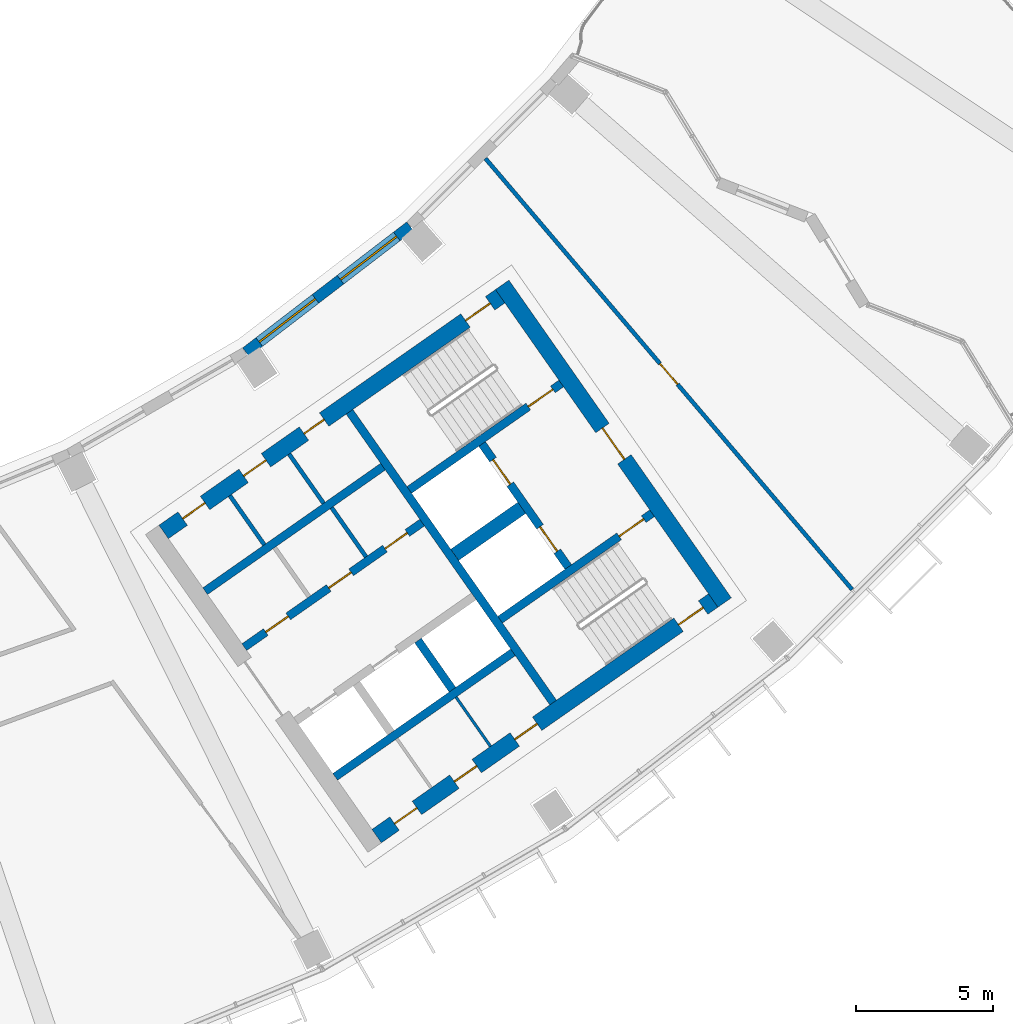
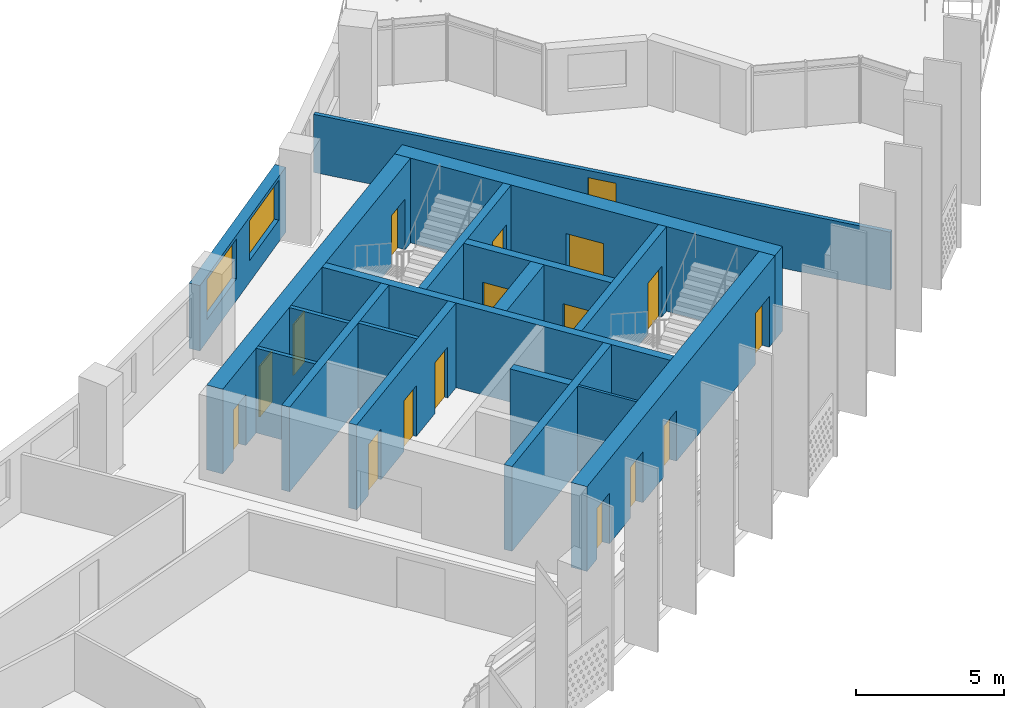
# One storey, part 6 of 30: 18 walls, 17 doors, 2 windows, 19 openings.
"""IFC4 building model written with IfcOpenShell, lengths in metres."""

from ifc_helpers import new_model, si_unit, direction, frame, frame_2d, origin, place, context, subcontext, project, spatial, rectangle, extrude, material, layer, layer_set, type_object, element, fill, save


model = new_model("IFC4")

# Units and contexts
model_context = context("Model", 3, precision=1e-05, world=origin(), true_north=direction((0.0, 1.0)))
body_context = subcontext(model_context, "Body", "Model", "MODEL_VIEW")
ifc_project = project(units=[si_unit("LENGTHUNIT", "METRE"), si_unit("AREAUNIT", "SQUARE_METRE"), si_unit("VOLUMEUNIT", "CUBIC_METRE"), si_unit("PLANEANGLEUNIT", "RADIAN"), si_unit("MASSUNIT", "GRAM", prefix="KILO")], contexts=[model_context])

# Site, building, storey
site_placement = place(None, origin())
site = spatial("IfcSite", under=ifc_project, at=site_placement, CompositionType="ELEMENT")
building_placement = place(site_placement, origin())
building = spatial("IfcBuilding", under=site, at=building_placement, Name="Qamariyya Broadcast Tower", CompositionType="ELEMENT")
storey_placement = place(building_placement, frame((0.0, 0.0, 203.699951171875)))
storey = spatial("IfcBuildingStorey", under=building, at=storey_placement, Name="L48", CompositionType="ELEMENT", Elevation=203.699951171875)

# Wall, opening, door
ifc_material_1 = material(Name="Concrete C60/75", Category="concrete")
ifc_layer_1 = layer(ifc_material_1, 0.60009765625)
ifc_layer_set_1 = layer_set([ifc_layer_1], Name="Core wall 600 mm Concrete C60/75")
wall_type_1 = type_object("IfcWallType", Name="Core wall 600 mm Concrete C60/75", PredefinedType="SHEAR", material=ifc_layer_set_1)
wall_1_placement = place(storey_placement, frame((49.4833984375, -57.031494140625, 0.0), z_axis=(0.0, 0.0, 1.0), x_axis=(-0.573560421458, 0.819163257805, 0.0)))
wall_1 = element("IfcWall", 1, at=wall_1_placement, inside=storey, type_object=wall_type_1, Name="k-E-L48-WH", PredefinedType="SHEAR", context=body_context, shape_type="SweptSolid", body=[
    extrude(rectangle(XDim=14.199951171875, YDim=0.60009765625, at=frame_2d((7.10009765625, 0.0))), origin(), (0.0, 0.0, 1.0), 3.5),
])
opening_1_placement = place(wall_1_placement, frame((6.39990234375, 0.0, 0.0)))
opening_1 = element("IfcOpeningElement", 2, at=opening_1_placement, cuts=wall_1, Name="Opening KD2-E1", PredefinedType="OPENING", context=body_context, shape_type="SweptSolid", body=[
    extrude(rectangle(XDim=1.39990234375, YDim=2.10009765625, at=frame_2d((0.699951171875, 1.050048828125))), frame((0.0, 0.31005859375, 0.0), z_axis=(0.0, -1.0, 0.0), x_axis=(1.0, 0.0, 0.0)), (0.0, 0.0, 1.0), 0.6201171875),
])
ifc_material_2 = material(Name="Steel fire-resisting door leaf", Category="steel")
door_type_1 = type_object("IfcDoorType", Name="Fire-fighting lobby door KD2", OperationType="DOUBLE_DOOR_SINGLE_SWING", PredefinedType="DOOR", material=ifc_material_2)
door_1_placement = place(opening_1_placement, origin())
door_1 = element("IfcDoor", 3, at=door_1_placement, inside=storey, type_object=door_type_1, Name="k-E-L48-WH-D15", OperationType="DOUBLE_DOOR_SINGLE_SWING", OverallHeight=2.10009765625, OverallWidth=1.39990234375, PredefinedType="DOOR", context=body_context, shape_type="SweptSolid", body=[
    extrude(rectangle(XDim=1.39990234375, YDim=2.10009765625, at=frame_2d((0.699951171875, 1.050048828125))), frame((0.0, 0.02490234375, 0.0), z_axis=(0.0, -1.0, 0.0), x_axis=(1.0, 0.0, 0.0)), (0.0, 0.0, 1.0), 0.050048828125),
])
fill(opening_1, door_1)

# Wall, openings, doors
wall_2_placement = place(storey_placement, frame((28.940673828125, -54.447021484375, 0.0), z_axis=(0.0, 0.0, 1.0), x_axis=(0.819153391756, 0.573574511963, 0.0)))
wall_2 = element("IfcWall", 4, at=wall_2_placement, inside=storey, type_object=wall_type_1, Name="k-E-L48-WI", PredefinedType="SHEAR", context=body_context, shape_type="SweptSolid", body=[
    extrude(rectangle(XDim=15.04541015625, YDim=0.60009765625, at=frame_2d((7.522705078125, 0.0))), origin(), (0.0, 0.0, 1.0), 3.5),
])
opening_2_placement = place(wall_2_placement, frame((0.85009765625, 0.0, 0.0)))
opening_2 = element("IfcOpeningElement", 5, at=opening_2_placement, cuts=wall_2, Name="Opening KD6-E3", PredefinedType="OPENING", context=body_context, shape_type="SweptSolid", body=[
    extrude(rectangle(XDim=1.0, YDim=2.10009765625, at=frame_2d((0.5, 1.050048828125))), frame((0.0, 0.31005859375, 0.0), z_axis=(0.0, -1.0, 0.0), x_axis=(1.0, 0.0, 0.0)), (0.0, 0.0, 1.0), 0.6201171875),
])
opening_3_placement = place(wall_2_placement, frame((3.574951171875, 0.0, 0.0)))
opening_3 = element("IfcOpeningElement", 6, at=opening_3_placement, cuts=wall_2, Name="Opening KD7-E1", PredefinedType="OPENING", context=body_context, shape_type="SweptSolid", body=[
    extrude(rectangle(XDim=1.0, YDim=2.10009765625, at=frame_2d((0.5, 1.050048828125))), frame((0.0, 0.31005859375, 0.0), z_axis=(0.0, -1.0, 0.0), x_axis=(1.0, 0.0, 0.0)), (0.0, 0.0, 1.0), 0.6201171875),
])
opening_4_placement = place(wall_2_placement, frame((6.27490234375, 0.0, 0.0)))
opening_4 = element("IfcOpeningElement", 7, at=opening_4_placement, cuts=wall_2, Name="Opening KD5-E1", PredefinedType="OPENING", context=body_context, shape_type="SweptSolid", body=[
    extrude(rectangle(XDim=0.89990234375, YDim=2.10009765625, at=frame_2d((0.449951171875, 1.050048828125))), frame((0.0, 0.31005859375, 0.0), z_axis=(0.0, -1.0, 0.0), x_axis=(1.0, 0.0, 0.0)), (0.0, 0.0, 1.0), 0.6201171875),
])
opening_5_placement = place(wall_2_placement, frame((13.495361328125, 0.0, 0.0)))
opening_5 = element("IfcOpeningElement", 8, at=opening_5_placement, cuts=wall_2, Name="Opening KD1-E1", PredefinedType="OPENING", context=body_context, shape_type="SweptSolid", body=[
    extrude(rectangle(XDim=1.10009765625, YDim=2.10009765625, at=frame_2d((0.550048828125, 1.050048828125))), frame((0.0, 0.31005859375, 0.0), z_axis=(0.0, -1.0, 0.0), x_axis=(1.0, 0.0, 0.0)), (0.0, 0.0, 1.0), 0.6201171875),
])
door_type_2 = type_object("IfcDoorType", Name="Accessible toilet door KD7", OperationType="SINGLE_SWING_LEFT", PredefinedType="DOOR", material=ifc_material_2)
door_2_placement = place(opening_3_placement, origin())
door_2 = element("IfcDoor", 9, at=door_2_placement, inside=storey, type_object=door_type_2, Name="k-E-L48-WI-D8", OperationType="SINGLE_SWING_RIGHT", OverallHeight=2.10009765625, OverallWidth=1.0, PredefinedType="DOOR", context=body_context, shape_type="SweptSolid", body=[
    extrude(rectangle(XDim=1.0, YDim=2.10009765625, at=frame_2d((0.5, 1.050048828125))), frame((0.0, 0.02490234375, 0.0), z_axis=(0.0, -1.0, 0.0), x_axis=(1.0, 0.0, 0.0)), (0.0, 0.0, 1.0), 0.050048828125),
])
fill(opening_3, door_2)
door_type_3 = type_object("IfcDoorType", Name="Core room door KD6", OperationType="SINGLE_SWING_LEFT", PredefinedType="DOOR", material=ifc_material_2)
door_3_placement = place(opening_2_placement, origin())
door_3 = element("IfcDoor", 10, at=door_3_placement, inside=storey, type_object=door_type_3, Name="k-E-L48-WI-D7", OperationType="SINGLE_SWING_LEFT", OverallHeight=2.10009765625, OverallWidth=1.0, PredefinedType="DOOR", context=body_context, shape_type="SweptSolid", body=[
    extrude(rectangle(XDim=1.0, YDim=2.10009765625, at=frame_2d((0.5, 1.050048828125))), frame((0.0, 0.02490234375, 0.0), z_axis=(0.0, -1.0, 0.0), x_axis=(1.0, 0.0, 0.0)), (0.0, 0.0, 1.0), 0.050048828125),
])
fill(opening_2, door_3)
door_type_4 = type_object("IfcDoorType", Name="Stair door KD1", OperationType="SINGLE_SWING_LEFT", PredefinedType="DOOR", material=ifc_material_2)
door_4_placement = place(opening_5_placement, origin())
door_4 = element("IfcDoor", 11, at=door_4_placement, inside=storey, type_object=door_type_4, Name="k-E-L48-WI-D16", OperationType="SINGLE_SWING_RIGHT", OverallHeight=2.10009765625, OverallWidth=1.10009765625, PredefinedType="DOOR", context=body_context, shape_type="SweptSolid", body=[
    extrude(rectangle(XDim=1.10009765625, YDim=2.10009765625, at=frame_2d((0.550048828125, 1.050048828125))), frame((0.0, 0.02490234375, 0.0), z_axis=(0.0, -1.0, 0.0), x_axis=(1.0, 0.0, 0.0)), (0.0, 0.0, 1.0), 0.050048828125),
])
fill(opening_5, door_4)
door_type_5 = type_object("IfcDoorType", Name="Toilet door KD5", OperationType="SINGLE_SWING_LEFT", PredefinedType="DOOR", material=ifc_material_2)
door_5_placement = place(opening_4_placement, origin())
door_5 = element("IfcDoor", 12, at=door_5_placement, inside=storey, type_object=door_type_5, Name="k-E-L48-WI-D9", OperationType="SINGLE_SWING_LEFT", OverallHeight=2.10009765625, OverallWidth=0.89990234375, PredefinedType="DOOR", context=body_context, shape_type="SweptSolid", body=[
    extrude(rectangle(XDim=0.89990234375, YDim=2.10009765625, at=frame_2d((0.449951171875, 1.050048828125))), frame((0.0, 0.02490234375, 0.0), z_axis=(0.0, -1.0, 0.0), x_axis=(1.0, 0.0, 0.0)), (0.0, 0.0, 1.0), 0.050048828125),
])
fill(opening_4, door_5)

wall_3_placement = place(storey_placement, frame((36.7412109375, -65.58740234375, 0.0), z_axis=(0.0, 0.0, 1.0), x_axis=(0.819153391756, 0.573574511963, 0.0)))
wall_3 = element("IfcWall", 13, at=wall_3_placement, inside=storey, type_object=wall_type_1, Name="k-E-L48-WO", PredefinedType="SHEAR", context=body_context, shape_type="SweptSolid", body=[
    extrude(rectangle(XDim=15.04541015625, YDim=0.60009765625, at=frame_2d((7.522705078125, 0.0))), origin(), (0.0, 0.0, 1.0), 3.5),
])
opening_6_placement = place(wall_3_placement, frame((0.800048828125, 0.0, 0.0)))
opening_6 = element("IfcOpeningElement", 14, at=opening_6_placement, cuts=wall_3, Name="Opening KD4-E2", PredefinedType="OPENING", context=body_context, shape_type="SweptSolid", body=[
    extrude(rectangle(XDim=1.0, YDim=2.10009765625, at=frame_2d((0.5, 1.050048828125))), frame((0.0, 0.31005859375, 0.0), z_axis=(0.0, -1.0, 0.0), x_axis=(1.0, 0.0, 0.0)), (0.0, 0.0, 1.0), 0.6201171875),
])
opening_7_placement = place(wall_3_placement, frame((3.47509765625, 0.0, 0.0)))
opening_7 = element("IfcOpeningElement", 15, at=opening_7_placement, cuts=wall_3, Name="Opening KD4-E3", PredefinedType="OPENING", context=body_context, shape_type="SweptSolid", body=[
    extrude(rectangle(XDim=1.0, YDim=2.10009765625, at=frame_2d((0.5, 1.050048828125))), frame((0.0, 0.31005859375, 0.0), z_axis=(0.0, -1.0, 0.0), x_axis=(1.0, 0.0, 0.0)), (0.0, 0.0, 1.0), 0.6201171875),
])
opening_8_placement = place(wall_3_placement, frame((6.175048828125, 0.0, 0.0)))
opening_8 = element("IfcOpeningElement", 16, at=opening_8_placement, cuts=wall_3, Name="Opening KD4-E4", PredefinedType="OPENING", context=body_context, shape_type="SweptSolid", body=[
    extrude(rectangle(XDim=1.0, YDim=2.10009765625, at=frame_2d((0.5, 1.050048828125))), frame((0.0, 0.31005859375, 0.0), z_axis=(0.0, -1.0, 0.0), x_axis=(1.0, 0.0, 0.0)), (0.0, 0.0, 1.0), 0.6201171875),
])
opening_9_placement = place(wall_3_placement, frame((13.495361328125, 0.0, 0.0)))
opening_9 = element("IfcOpeningElement", 17, at=opening_9_placement, cuts=wall_3, Name="Opening KD1-E3", PredefinedType="OPENING", context=body_context, shape_type="SweptSolid", body=[
    extrude(rectangle(XDim=1.10009765625, YDim=2.10009765625, at=frame_2d((0.550048828125, 1.050048828125))), frame((0.0, 0.31005859375, 0.0), z_axis=(0.0, -1.0, 0.0), x_axis=(1.0, 0.0, 0.0)), (0.0, 0.0, 1.0), 0.6201171875),
])
door_type_6 = type_object("IfcDoorType", Name="Riser and plant door KD4", OperationType="SINGLE_SWING_LEFT", PredefinedType="DOOR", material=ifc_material_2)
door_6_placement = place(opening_6_placement, origin())
door_6 = element("IfcDoor", 18, at=door_6_placement, inside=storey, type_object=door_type_6, Name="k-E-L48-WO-D10", OperationType="SINGLE_SWING_RIGHT", OverallHeight=2.10009765625, OverallWidth=1.0, PredefinedType="DOOR", context=body_context, shape_type="SweptSolid", body=[
    extrude(rectangle(XDim=1.0, YDim=2.10009765625, at=frame_2d((0.5, 1.050048828125))), frame((0.0, 0.02490234375, 0.0), z_axis=(0.0, -1.0, 0.0), x_axis=(1.0, 0.0, 0.0)), (0.0, 0.0, 1.0), 0.050048828125),
])
fill(opening_6, door_6)
door_7_placement = place(opening_7_placement, origin())
door_7 = element("IfcDoor", 19, at=door_7_placement, inside=storey, type_object=door_type_6, Name="k-E-L48-WO-D11", OperationType="SINGLE_SWING_LEFT", OverallHeight=2.10009765625, OverallWidth=1.0, PredefinedType="DOOR", context=body_context, shape_type="SweptSolid", body=[
    extrude(rectangle(XDim=1.0, YDim=2.10009765625, at=frame_2d((0.5, 1.050048828125))), frame((0.0, 0.02490234375, 0.0), z_axis=(0.0, -1.0, 0.0), x_axis=(1.0, 0.0, 0.0)), (0.0, 0.0, 1.0), 0.050048828125),
])
fill(opening_7, door_7)
door_8_placement = place(opening_8_placement, origin())
door_8 = element("IfcDoor", 20, at=door_8_placement, inside=storey, type_object=door_type_6, Name="k-E-L48-WO-D12", OperationType="SINGLE_SWING_RIGHT", OverallHeight=2.10009765625, OverallWidth=1.0, PredefinedType="DOOR", context=body_context, shape_type="SweptSolid", body=[
    extrude(rectangle(XDim=1.0, YDim=2.10009765625, at=frame_2d((0.5, 1.050048828125))), frame((0.0, 0.02490234375, 0.0), z_axis=(0.0, -1.0, 0.0), x_axis=(1.0, 0.0, 0.0)), (0.0, 0.0, 1.0), 0.050048828125),
])
fill(opening_8, door_8)
door_9_placement = place(opening_9_placement, origin())
door_9 = element("IfcDoor", 21, at=door_9_placement, inside=storey, type_object=door_type_4, Name="k-E-L48-WO-D18", OperationType="SINGLE_SWING_LEFT", OverallHeight=2.10009765625, OverallWidth=1.10009765625, PredefinedType="DOOR", context=body_context, shape_type="SweptSolid", body=[
    extrude(rectangle(XDim=1.10009765625, YDim=2.10009765625, at=frame_2d((0.550048828125, 1.050048828125))), frame((0.0, 0.02490234375, 0.0), z_axis=(0.0, -1.0, 0.0), x_axis=(1.0, 0.0, 0.0)), (0.0, 0.0, 1.0), 0.050048828125),
])
fill(opening_9, door_9)

# Wall, opening, door
ifc_material_3 = material(Name="Gypsum board partition")
ifc_layer_2 = layer(ifc_material_3, 0.14990234375)
ifc_layer_set_2 = layer_set([ifc_layer_2], Name="Corridor partition 150 EI 60")
wall_type_2 = type_object("IfcWallType", Name="Corridor partition 150 EI 60", PredefinedType="PARTITIONING", material=ifc_layer_set_2)
wall_4_placement = place(storey_placement, frame((40.724853515625, -40.7705078125, 0.0), z_axis=(0.0, 0.0, 1.0), x_axis=(0.647962636986, -0.761672121762, 0.0)))
wall_4 = element("IfcWall", 22, at=wall_4_placement, inside=storey, type_object=wall_type_2, Name="Partition L48-032", PredefinedType="PARTITIONING", context=body_context, shape_type="SweptSolid", body=[
    extrude(rectangle(XDim=20.723388671875, YDim=0.14990234375, at=frame_2d((10.36181640625, 0.0))), origin(), (0.0, 0.0, 1.0), 2.400146484375),
])
opening_10_placement = place(wall_4_placement, frame((9.86181640625, 0.0, 0.0)))
opening_10 = element("IfcOpeningElement", 23, at=opening_10_placement, cuts=wall_4, Name="Opening L48-D16", PredefinedType="OPENING", context=body_context, shape_type="SweptSolid", body=[
    extrude(rectangle(XDim=1.0, YDim=2.10009765625, at=frame_2d((0.5, 1.050048828125))), frame((0.0, 0.0849609375, 0.0), z_axis=(0.0, -1.0, 0.0), x_axis=(1.0, 0.0, 0.0)), (0.0, 0.0, 1.0), 0.169921875),
])
ifc_material_4 = material(Name="Timber fire door leaf", Category="wood")
door_type_7 = type_object("IfcDoorType", Name="Fire door 1000 x 2100 FD60", OperationType="NOTDEFINED", PredefinedType="DOOR", material=ifc_material_4)
door_10_placement = place(opening_10_placement, origin())
door_10 = element("IfcDoor", 24, at=door_10_placement, inside=storey, type_object=door_type_7, Name="Door L48-D16", OperationType="SINGLE_SWING_RIGHT", OverallHeight=2.10009765625, OverallWidth=1.0, PredefinedType="DOOR", context=body_context, shape_type="SweptSolid", body=[
    extrude(rectangle(XDim=1.0, YDim=2.10009765625, at=frame_2d((0.5, 1.050048828125))), frame((0.0, 0.02490234375, 0.0), z_axis=(0.0, -1.0, 0.0), x_axis=(1.0, 0.0, 0.0)), (0.0, 0.0, 1.0), 0.050048828125),
])
fill(opening_10, door_10)

# Walls
ifc_layer_3 = layer(ifc_material_1, 0.5)
ifc_layer_set_3 = layer_set([ifc_layer_3], Name="Fire-fighting lobby divider wall 500 mm Concrete C60/75")
wall_type_3 = type_object("IfcWallType", Name="Fire-fighting lobby divider wall 500 mm Concrete C60/75", PredefinedType="SOLIDWALL", material=ifc_layer_set_3)
wall_5_placement = place(storey_placement, frame((39.59912109375, -55.28515625, 0.0), z_axis=(0.0, 0.0, 1.0), x_axis=(0.819136323161, 0.573598887793, 0.0)))
element("IfcWall", 25, at=wall_5_placement, inside=storey, type_object=wall_type_3, Name="k-E-L48-FD", PredefinedType="SOLIDWALL", context=body_context, shape_type="SweptSolid", body=[
    extrude(rectangle(XDim=2.999755859375, YDim=0.5, at=frame_2d((1.5, 0.0))), origin(), (0.0, 0.0, 1.0), 3.5),
])
ifc_material_5 = material(Name="Gypsum board partition on steel studs", Category="steel")
ifc_layer_4 = layer(ifc_material_5, 0.14990234375)
ifc_layer_set_4 = layer_set([ifc_layer_4], Name="Gypsum board partition 150 mm")
wall_type_4 = type_object("IfcWallType", Name="Gypsum board partition 150 mm", PredefinedType="PARTITIONING", material=ifc_layer_set_4)
wall_6_placement = place(storey_placement, frame((36.35498046875, -55.359375, 0.0), z_axis=(0.0, 0.0, 1.0), x_axis=(-0.573581496053, 0.819148501424, 0.0)))
element("IfcWall", 26, at=wall_6_placement, inside=storey, type_object=wall_type_4, Name="k-E-L48-NC555", PredefinedType="PARTITIONING", context=body_context, shape_type="SweptSolid", body=[
    extrude(rectangle(XDim=2.2001953125, YDim=0.14990234375, at=frame_2d((1.10009765625, 0.0))), origin(), (0.0, 0.0, 1.0), 3.5),
])
for number, where, z_axis, x_axis, name in (
    (27, (32.627197265625, -54.91748046875, 0.0), (0.0, 0.0, 1.0), (-0.573507030513, 0.819200638399, 0.0), "k-E-L48-NP275"),
    (28, (34.798095703125, -53.3974609375, 0.0), (0.0, 0.0, 1.0), (-0.573633636671, 0.819111989218, 0.0), "k-E-L48-NP540"),
):
    element("IfcWall", number, at=place(storey_placement, frame(where, z_axis=z_axis, x_axis=x_axis)), inside=storey, type_object=wall_type_4, Name=name, PredefinedType="PARTITIONING", context=body_context, shape_type="SweptSolid", body=[
        extrude(rectangle(XDim=2.199951171875, YDim=0.14990234375, at=frame_2d((1.10009765625, 0.0))), origin(), (0.0, 0.0, 1.0), 3.5),
    ])
ifc_layer_5 = layer(ifc_material_1, 0.300048828125)
ifc_layer_set_5 = layer_set([ifc_layer_5], Name="Lift shaft wall 300 mm Concrete C60/75")
wall_type_5 = type_object("IfcWallType", Name="Lift shaft wall 300 mm Concrete C60/75", PredefinedType="SOLIDWALL", material=ifc_layer_set_5)
wall_7_placement = place(storey_placement, frame((43.204345703125, -60.69580078125, 0.0), z_axis=(0.0, 0.0, 1.0), x_axis=(-0.573571992966, 0.819155155563, 0.0)))
element("IfcWall", 29, at=wall_7_placement, inside=storey, type_object=wall_type_5, Name="k-E-L48-WL", PredefinedType="SOLIDWALL", context=body_context, shape_type="SweptSolid", body=[
    extrude(rectangle(XDim=13.000244140625, YDim=0.300048828125, at=frame_2d((6.5, 0.0))), origin(), (0.0, 0.0, 1.0), 3.5),
])

# Wall, openings, doors
wall_8_placement = place(storey_placement, frame((31.89453125, -58.66552734375, 0.0), z_axis=(0.0, 0.0, 1.0), x_axis=(0.819166993208, 0.573555086491, 0.0)))
wall_8 = element("IfcWall", 30, at=wall_8_placement, inside=storey, type_object=wall_type_5, Name="k-E-L48-NF0", PredefinedType="SOLIDWALL", context=body_context, shape_type="SweptSolid", body=[
    extrude(rectangle(XDim=7.9501953125, YDim=0.300048828125, at=frame_2d((3.97509765625, 0.0))), origin(), (0.0, 0.0, 1.0), 3.5),
])
opening_11_placement = place(wall_8_placement, frame((0.96240234375, 0.0, 0.0)))
opening_11 = element("IfcOpeningElement", 31, at=opening_11_placement, cuts=wall_8, Name="Opening KD4-E1", PredefinedType="OPENING", context=body_context, shape_type="SweptSolid", body=[
    extrude(rectangle(XDim=1.0, YDim=2.10009765625, at=frame_2d((0.5, 1.050048828125))), frame((0.0, 0.159912109375, 0.0), z_axis=(0.0, -1.0, 0.0), x_axis=(1.0, 0.0, 0.0)), (0.0, 0.0, 1.0), 0.320068359375),
])
opening_12_placement = place(wall_8_placement, frame((3.77490234375, 0.0, 0.0)))
opening_12 = element("IfcOpeningElement", 32, at=opening_12_placement, cuts=wall_8, Name="Opening KD6-E1", PredefinedType="OPENING", context=body_context, shape_type="SweptSolid", body=[
    extrude(rectangle(XDim=1.0, YDim=2.10009765625, at=frame_2d((0.5, 1.050048828125))), frame((0.0, 0.159912109375, 0.0), z_axis=(0.0, -1.0, 0.0), x_axis=(1.0, 0.0, 0.0)), (0.0, 0.0, 1.0), 0.320068359375),
])
opening_13_placement = place(wall_8_placement, frame((6.28759765625, 0.0, 0.0)))
opening_13 = element("IfcOpeningElement", 33, at=opening_13_placement, cuts=wall_8, Name="Opening KD6-E2", PredefinedType="OPENING", context=body_context, shape_type="SweptSolid", body=[
    extrude(rectangle(XDim=1.0, YDim=2.10009765625, at=frame_2d((0.5, 1.050048828125))), frame((0.0, 0.159912109375, 0.0), z_axis=(0.0, -1.0, 0.0), x_axis=(1.0, 0.0, 0.0)), (0.0, 0.0, 1.0), 0.320068359375),
])
door_11_placement = place(opening_12_placement, origin())
door_11 = element("IfcDoor", 34, at=door_11_placement, inside=storey, type_object=door_type_3, Name="k-E-L48-NF0-D3", OperationType="SINGLE_SWING_LEFT", OverallHeight=2.10009765625, OverallWidth=1.0, PredefinedType="DOOR", context=body_context, shape_type="SweptSolid", body=[
    extrude(rectangle(XDim=1.0, YDim=2.10009765625, at=frame_2d((0.5, 1.050048828125))), frame((0.0, 0.02490234375, 0.0), z_axis=(0.0, -1.0, 0.0), x_axis=(1.0, 0.0, 0.0)), (0.0, 0.0, 1.0), 0.050048828125),
])
fill(opening_12, door_11)
door_12_placement = place(opening_13_placement, origin())
door_12 = element("IfcDoor", 35, at=door_12_placement, inside=storey, type_object=door_type_3, Name="k-E-L48-NF0-D4", OperationType="SINGLE_SWING_RIGHT", OverallHeight=2.10009765625, OverallWidth=1.0, PredefinedType="DOOR", context=body_context, shape_type="SweptSolid", body=[
    extrude(rectangle(XDim=1.0, YDim=2.10009765625, at=frame_2d((0.5, 1.050048828125))), frame((0.0, 0.02490234375, 0.0), z_axis=(0.0, -1.0, 0.0), x_axis=(1.0, 0.0, 0.0)), (0.0, 0.0, 1.0), 0.050048828125),
])
fill(opening_13, door_12)
door_13_placement = place(opening_11_placement, origin())
door_13 = element("IfcDoor", 36, at=door_13_placement, inside=storey, type_object=door_type_6, Name="k-E-L48-NF0-D2", OperationType="SINGLE_SWING_RIGHT", OverallHeight=2.10009765625, OverallWidth=1.0, PredefinedType="DOOR", context=body_context, shape_type="SweptSolid", body=[
    extrude(rectangle(XDim=1.0, YDim=2.10009765625, at=frame_2d((0.5, 1.050048828125))), frame((0.0, 0.02490234375, 0.0), z_axis=(0.0, -1.0, 0.0), x_axis=(1.0, 0.0, 0.0)), (0.0, 0.0, 1.0), 0.050048828125),
])
fill(opening_11, door_13)

# Walls
wall_9_placement = place(storey_placement, frame((30.460693359375, -56.61767578125, 0.0), z_axis=(0.0, 0.0, 1.0), x_axis=(0.819142461705, 0.573590121456, 0.0)))
element("IfcWall", 37, at=wall_9_placement, inside=storey, type_object=wall_type_5, Name="k-E-L48-NB0", PredefinedType="SOLIDWALL", context=body_context, shape_type="SweptSolid", body=[
    extrude(rectangle(XDim=7.949951171875, YDim=0.300048828125, at=frame_2d((3.97509765625, 0.0))), origin(), (0.0, 0.0, 1.0), 3.5),
])
wall_10_placement = place(storey_placement, frame((35.22119140625, -63.41650390625, 0.0), z_axis=(0.0, 0.0, 1.0), x_axis=(0.819166993208, 0.573555086491, 0.0)))
element("IfcWall", 38, at=wall_10_placement, inside=storey, type_object=wall_type_5, Name="k-E-L48-SB0", PredefinedType="SOLIDWALL", context=body_context, shape_type="SweptSolid", body=[
    extrude(rectangle(XDim=7.9501953125, YDim=0.300048828125, at=frame_2d((3.97509765625, 0.0))), origin(), (0.0, 0.0, 1.0), 3.5),
])
wall_11_placement = place(storey_placement, frame((38.255859375, -58.423095703125, 0.0), z_axis=(0.0, 0.0, 1.0), x_axis=(0.573633636671, -0.819111989218, 0.0)))
element("IfcWall", 39, at=wall_11_placement, inside=storey, type_object=wall_type_5, Name="k-E-L48-SD1", PredefinedType="SOLIDWALL", context=body_context, shape_type="SweptSolid", body=[
    extrude(rectangle(XDim=2.199951171875, YDim=0.300048828125, at=frame_2d((1.10009765625, 0.0))), origin(), (0.0, 0.0, 1.0), 3.5),
])

# Wall, opening, door
wall_12_placement = place(storey_placement, frame((37.935546875, -52.90966796875, 0.0), z_axis=(0.0, 0.0, 1.0), x_axis=(0.819147518138, 0.57358290031, 0.0)))
wall_12 = element("IfcWall", 40, at=wall_12_placement, inside=storey, type_object=wall_type_5, Name="k-E-L48-NW", PredefinedType="SOLIDWALL", context=body_context, shape_type="SweptSolid", body=[
    extrude(rectangle(XDim=6.79541015625, YDim=0.300048828125, at=frame_2d((3.397705078125, 0.0))), origin(), (0.0, 0.0, 1.0), 3.5),
])
opening_14_placement = place(wall_12_placement, frame((5.3203125, 0.0, 0.0)))
opening_14 = element("IfcOpeningElement", 41, at=opening_14_placement, cuts=wall_12, Name="Opening KD1-E2", PredefinedType="OPENING", context=body_context, shape_type="SweptSolid", body=[
    extrude(rectangle(XDim=1.10009765625, YDim=2.10009765625, at=frame_2d((0.550048828125, 1.050048828125))), frame((0.0, 0.159912109375, 0.0), z_axis=(0.0, -1.0, 0.0), x_axis=(1.0, 0.0, 0.0)), (0.0, 0.0, 1.0), 0.320068359375),
])
door_14_placement = place(opening_14_placement, origin())
door_14 = element("IfcDoor", 42, at=door_14_placement, inside=storey, type_object=door_type_4, Name="k-E-L48-NW-D17", OperationType="SINGLE_SWING_LEFT", OverallHeight=2.10009765625, OverallWidth=1.10009765625, PredefinedType="DOOR", context=body_context, shape_type="SweptSolid", body=[
    extrude(rectangle(XDim=1.10009765625, YDim=2.10009765625, at=frame_2d((0.550048828125, 1.050048828125))), frame((0.0, 0.02490234375, 0.0), z_axis=(0.0, -1.0, 0.0), x_axis=(1.0, 0.0, 0.0)), (0.0, 0.0, 1.0), 0.050048828125),
])
fill(opening_14, door_14)

wall_13_placement = place(storey_placement, frame((41.262451171875, -57.66064453125, 0.0), z_axis=(0.0, 0.0, 1.0), x_axis=(0.819164398642, 0.573558792102, 0.0)))
wall_13 = element("IfcWall", 43, at=wall_13_placement, inside=storey, type_object=wall_type_5, Name="k-E-L48-SW", PredefinedType="SOLIDWALL", context=body_context, shape_type="SweptSolid", body=[
    extrude(rectangle(XDim=6.795166015625, YDim=0.300048828125, at=frame_2d((3.3974609375, 0.0))), origin(), (0.0, 0.0, 1.0), 3.5),
])
opening_15_placement = place(wall_13_placement, frame((5.3203125, 0.0, 0.0)))
opening_15 = element("IfcOpeningElement", 44, at=opening_15_placement, cuts=wall_13, Name="Opening KD1-E4", PredefinedType="OPENING", context=body_context, shape_type="SweptSolid", body=[
    extrude(rectangle(XDim=1.10009765625, YDim=2.10009765625, at=frame_2d((0.550048828125, 1.050048828125))), frame((0.0, 0.159912109375, 0.0), z_axis=(0.0, -1.0, 0.0), x_axis=(1.0, 0.0, 0.0)), (0.0, 0.0, 1.0), 0.320068359375),
])
door_15_placement = place(opening_15_placement, origin())
door_15 = element("IfcDoor", 45, at=door_15_placement, inside=storey, type_object=door_type_4, Name="k-E-L48-SW-D19", OperationType="SINGLE_SWING_LEFT", OverallHeight=2.10009765625, OverallWidth=1.10009765625, PredefinedType="DOOR", context=body_context, shape_type="SweptSolid", body=[
    extrude(rectangle(XDim=1.10009765625, YDim=2.10009765625, at=frame_2d((0.550048828125, 1.050048828125))), frame((0.0, 0.02490234375, 0.0), z_axis=(0.0, -1.0, 0.0), x_axis=(1.0, 0.0, 0.0)), (0.0, 0.0, 1.0), 0.050048828125),
])
fill(opening_15, door_15)

# Wall, openings, doors
wall_14_placement = place(storey_placement, frame((43.756591796875, -55.731201171875, 0.0), z_axis=(0.0, 0.0, 1.0), x_axis=(-0.573536818435, 0.819179783625, 0.0)))
wall_14 = element("IfcWall", 46, at=wall_14_placement, inside=storey, type_object=wall_type_5, Name="k-E-L48-FF", PredefinedType="SOLIDWALL", context=body_context, shape_type="SweptSolid", body=[
    extrude(rectangle(XDim=5.500244140625, YDim=0.300048828125, at=frame_2d((2.75, 0.0))), origin(), (0.0, 0.0, 1.0), 3.5),
])
opening_16_placement = place(wall_14_placement, frame((0.699951171875, 0.0, 0.0)))
opening_16 = element("IfcOpeningElement", 47, at=opening_16_placement, cuts=wall_14, Name="Opening LD", PredefinedType="OPENING", context=body_context, shape_type="SweptSolid", body=[
    extrude(rectangle(XDim=1.10009765625, YDim=2.10009765625, at=frame_2d((0.550048828125, 1.050048828125))), frame((0.0, 0.159912109375, 0.0), z_axis=(0.0, -1.0, 0.0), x_axis=(1.0, 0.0, 0.0)), (0.0, 0.0, 1.0), 0.320068359375),
])
opening_17_placement = place(wall_14_placement, frame((3.699951171875, 0.0, 0.0)))
opening_17 = element("IfcOpeningElement", 48, at=opening_17_placement, cuts=wall_14, Name="Opening LD", PredefinedType="OPENING", context=body_context, shape_type="SweptSolid", body=[
    extrude(rectangle(XDim=1.10009765625, YDim=2.10009765625, at=frame_2d((0.550048828125, 1.050048828125))), frame((0.0, 0.159912109375, 0.0), z_axis=(0.0, -1.0, 0.0), x_axis=(1.0, 0.0, 0.0)), (0.0, 0.0, 1.0), 0.320068359375),
])
door_type_8 = type_object("IfcDoorType", Name="Lift landing door LD", OperationType="DOUBLE_DOOR_SLIDING", PredefinedType="DOOR", material=ifc_material_2)
door_16_placement = place(opening_16_placement, origin())
door_16 = element("IfcDoor", 49, at=door_16_placement, inside=storey, type_object=door_type_8, Name="k-E-L48-FF-D13", OperationType="DOUBLE_DOOR_SLIDING", OverallHeight=2.10009765625, OverallWidth=1.10009765625, PredefinedType="DOOR", context=body_context, shape_type="SweptSolid", body=[
    extrude(rectangle(XDim=1.10009765625, YDim=2.10009765625, at=frame_2d((0.550048828125, 1.050048828125))), frame((0.0, 0.02490234375, 0.0), z_axis=(0.0, -1.0, 0.0), x_axis=(1.0, 0.0, 0.0)), (0.0, 0.0, 1.0), 0.050048828125),
])
fill(opening_16, door_16)
door_17_placement = place(opening_17_placement, origin())
door_17 = element("IfcDoor", 50, at=door_17_placement, inside=storey, type_object=door_type_8, Name="k-E-L48-FF-D14", OperationType="DOUBLE_DOOR_SLIDING", OverallHeight=2.10009765625, OverallWidth=1.10009765625, PredefinedType="DOOR", context=body_context, shape_type="SweptSolid", body=[
    extrude(rectangle(XDim=1.10009765625, YDim=2.10009765625, at=frame_2d((0.550048828125, 1.050048828125))), frame((0.0, 0.02490234375, 0.0), z_axis=(0.0, -1.0, 0.0), x_axis=(1.0, 0.0, 0.0)), (0.0, 0.0, 1.0), 0.050048828125),
])
fill(opening_17, door_17)

# Wall
ifc_material_6 = material(Name="Fire-rated gypsum shaft liner on steel studs", Category="steel")
ifc_layer_6 = layer(ifc_material_6, 0.10009765625)
ifc_layer_set_6 = layer_set([ifc_layer_6], Name="Riser wall 100 mm")
wall_type_6 = type_object("IfcWallType", Name="Riser wall 100 mm", PredefinedType="PLUMBINGWALL", material=ifc_layer_set_6)
wall_15_placement = place(storey_placement, frame((39.64892578125, -60.49951171875, 0.0), z_axis=(0.0, 0.0, 1.0), x_axis=(0.573507030513, -0.819200638399, 0.0)))
element("IfcWall", 51, at=wall_15_placement, inside=storey, type_object=wall_type_6, Name="k-E-L48-SP530", PredefinedType="PLUMBINGWALL", context=body_context, shape_type="SweptSolid", body=[
    extrude(rectangle(XDim=2.199951171875, YDim=0.10009765625, at=frame_2d((1.10009765625, 0.0))), origin(), (0.0, 0.0, 1.0), 3.5),
])

# Wall, openings, windows
ifc_material_7 = material(Name="Terracotta", Category="masonry")
ifc_layer_7 = layer(ifc_material_7, 0.39990234375)
ifc_layer_set_7 = layer_set([ifc_layer_7], Name="Terracotta clad wall 400")
wall_type_7 = type_object("IfcWallType", Name="Terracotta clad wall 400", PredefinedType="SOLIDWALL", material=ifc_layer_set_7)
wall_16_placement = place(storey_placement, frame((37.965576171875, -43.25341796875, 0.0), z_axis=(0.0, 0.0, 1.0), x_axis=(-0.793356365089, -0.608757486995, 0.0)))
wall_16 = element("IfcWall", 52, at=wall_16_placement, inside=storey, type_object=wall_type_7, Name="e-wl-L48-in130", PredefinedType="SOLIDWALL", context=body_context, shape_type="SweptSolid", body=[
    extrude(rectangle(XDim=7.578125, YDim=0.39990234375, at=frame_2d((3.7890625, 0.0))), origin(), (0.0, 0.0, 1.0), 2.699951171875),
])
opening_18_placement = place(wall_16_placement, frame((4.364501953125, 0.0, 0.89990234375)))
opening_18 = element("IfcOpeningElement", 53, at=opening_18_placement, cuts=wall_16, Name="Opening W1", PredefinedType="OPENING", context=body_context, shape_type="SweptSolid", body=[
    extrude(rectangle(XDim=2.60009765625, YDim=1.64990234375, at=frame_2d((1.300048828125, 0.824951171875))), frame((0.0, 0.2099609375, 0.0), z_axis=(0.0, -1.0, 0.0), x_axis=(1.0, 0.0, 0.0)), (0.0, 0.0, 1.0), 0.419921875),
])
opening_19_placement = place(wall_16_placement, frame((0.613525390625, 0.0, 0.89990234375)))
opening_19 = element("IfcOpeningElement", 54, at=opening_19_placement, cuts=wall_16, Name="Opening W1", PredefinedType="OPENING", context=body_context, shape_type="SweptSolid", body=[
    extrude(rectangle(XDim=2.60009765625, YDim=1.64990234375, at=frame_2d((1.300048828125, 0.824951171875))), frame((0.0, 0.2099609375, 0.0), z_axis=(0.0, -1.0, 0.0), x_axis=(1.0, 0.0, 0.0)), (0.0, 0.0, 1.0), 0.419921875),
])
ifc_material_8 = material(Name="Clear low-e double glazed unit in aluminium frame", Category="aluminium")
window_type = type_object("IfcWindowType", Name="Ribbon window 2600 x 1650", PartitioningType="SINGLE_PANEL", PredefinedType="WINDOW", material=ifc_material_8)
window_1_placement = place(opening_18_placement, origin())
window_1 = element("IfcWindow", 55, at=window_1_placement, inside=storey, type_object=window_type, Name="e-w-L48-in13-0", OverallHeight=1.64990234375, OverallWidth=2.60009765625, PartitioningType="SINGLE_PANEL", PredefinedType="WINDOW", context=body_context, shape_type="SweptSolid", body=[
    extrude(rectangle(XDim=2.60009765625, YDim=1.64990234375, at=frame_2d((1.300048828125, 0.824951171875))), frame((0.0, 0.030029296875, 0.0), z_axis=(0.0, -1.0, 0.0), x_axis=(1.0, 0.0, 0.0)), (0.0, 0.0, 1.0), 0.06005859375),
])
fill(opening_18, window_1)
window_2_placement = place(opening_19_placement, origin())
window_2 = element("IfcWindow", 56, at=window_2_placement, inside=storey, type_object=window_type, Name="e-w-L48-in13-1", OverallHeight=1.64990234375, OverallWidth=2.60009765625, PartitioningType="SINGLE_PANEL", PredefinedType="WINDOW", context=body_context, shape_type="SweptSolid", body=[
    extrude(rectangle(XDim=2.60009765625, YDim=1.64990234375, at=frame_2d((1.300048828125, 0.824951171875))), frame((0.0, 0.030029296875, 0.0), z_axis=(0.0, -1.0, 0.0), x_axis=(1.0, 0.0, 0.0)), (0.0, 0.0, 1.0), 0.06005859375),
])
fill(opening_19, window_2)

save(model, "model.ifc")
